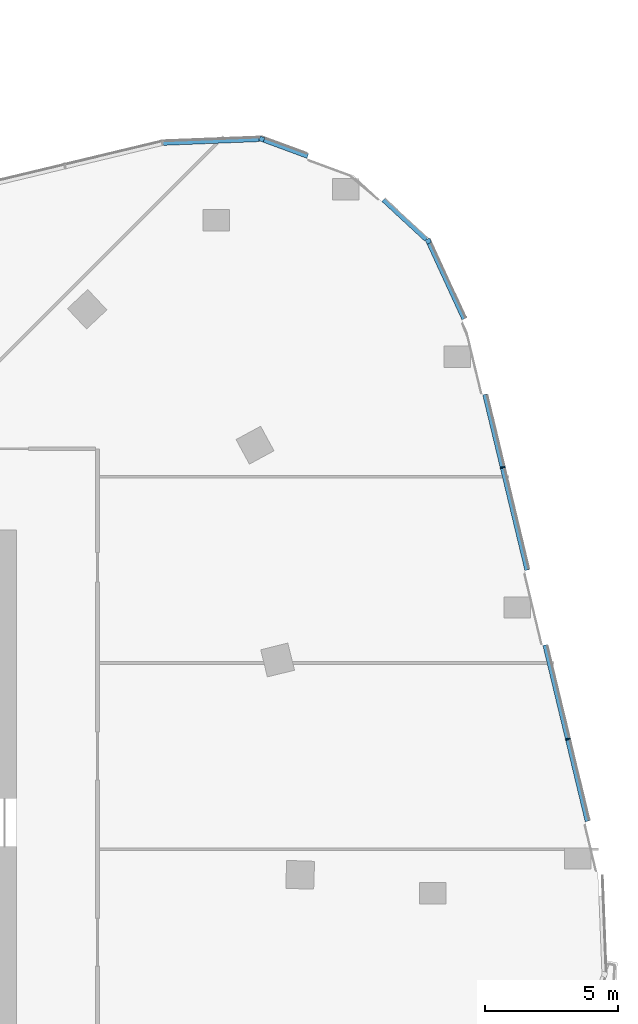
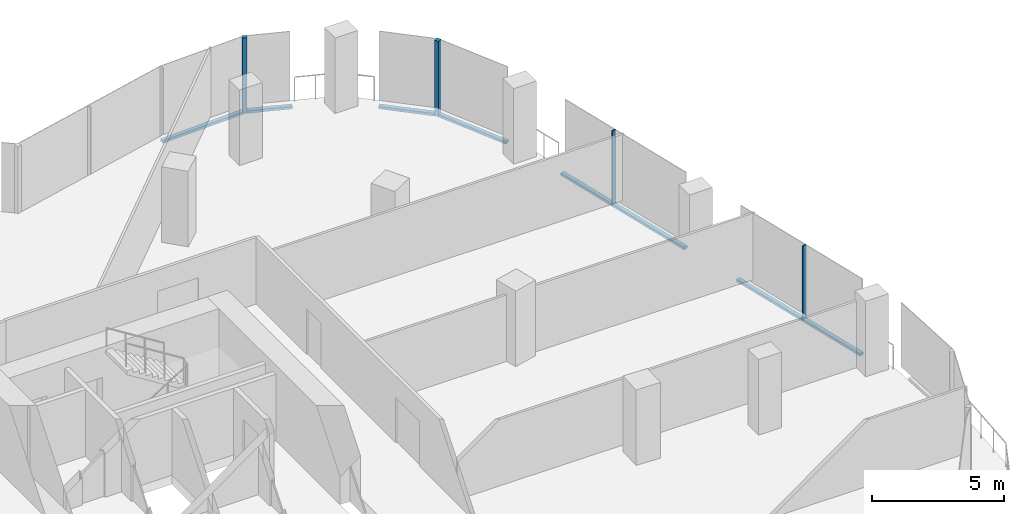
# One storey, part 9 of 24: 10 members, 5 elements without a shape of their own.
"""IFC4 building model written with IfcOpenShell, lengths in metres."""

from ifc_helpers import new_model, si_unit, direction, frame, origin, origin_2d, place, context, subcontext, project, spatial, rectangle, extrude, material, material_profile, profile_set, type_object, element, aggregate, save


model = new_model("IFC4")

# Units and contexts
model_context = context("Model", 3, precision=1e-05, world=origin(), true_north=direction((0.0, 1.0)))
body_context = subcontext(model_context, "Body", "Model", "MODEL_VIEW")
ifc_project = project(units=[si_unit("LENGTHUNIT", "METRE"), si_unit("AREAUNIT", "SQUARE_METRE"), si_unit("VOLUMEUNIT", "CUBIC_METRE"), si_unit("PLANEANGLEUNIT", "RADIAN"), si_unit("MASSUNIT", "GRAM", prefix="KILO")], contexts=[model_context])

# Site, building, storey
site_placement = place(None, origin())
site = spatial("IfcSite", under=ifc_project, at=site_placement, CompositionType="ELEMENT")
building_placement = place(site_placement, origin())
building = spatial("IfcBuilding", under=site, at=building_placement, Name="Orlundy Tower", CompositionType="ELEMENT")
storey_placement = place(building_placement, frame((0.0, 0.0, 210.5)))
storey = spatial("IfcBuildingStorey", under=building, at=storey_placement, Name="L55", CompositionType="ELEMENT", Elevation=210.5)

# Curtain wall, member
ifc_material_1 = material(Name="Aluminium bronze anodised", Category="aluminium")
curtain_wall_type = type_object("IfcCurtainWallType", Name="CW1 wall", PredefinedType="NOTDEFINED", material=ifc_material_1)
curtain_wall_1_placement = place(storey_placement, origin())
curtain_wall_1 = element("IfcCurtainWall", 1, at=curtain_wall_1_placement, inside=storey, type_object=curtain_wall_type, Name="CW1 run 08", PredefinedType="NOTDEFINED")
ifc_material_2 = material(Name="Aluminium bronze anodised", Category="aluminium")
ifc_material_profile_1 = material_profile(ifc_material_2, rectangle(XDim=0.179931640625, YDim=0.179931640625, at=origin_2d()), Name="CW1 corner post 180x180")
ifc_profile_set_1 = profile_set([ifc_material_profile_1], Name="Aluminium bronze anodised")
member_type_1 = type_object("IfcMemberType", Name="CW1 corner post 180x180", PredefinedType="MULLION", material=ifc_profile_set_1)
member_1_placement = place(storey_placement, frame((28.220458984375, 26.6865234375, -0.39990234375), z_axis=(0.0, 0.0, 1.0), x_axis=(0.346092852283, 0.938200265188, 0.0)))
member_1 = element("IfcMember", 2, at=member_1_placement, type_object=member_type_1, Name="CW1 mullion 29", PredefinedType="MULLION", context=body_context, shape_type="SweptSolid", body=[
    extrude(rectangle(XDim=0.179931640625, YDim=0.179931640625, at=origin_2d()), origin(), (0.0, 0.0, 1.0), 3.5),
])

curtain_wall_2_placement = place(storey_placement, origin())
curtain_wall_2 = element("IfcCurtainWall", 3, at=curtain_wall_2_placement, inside=storey, type_object=curtain_wall_type, Name="CW1 run 010", PredefinedType="NOTDEFINED")
member_2_placement = place(storey_placement, frame((34.480224609375, 22.850830078125, -0.39990234375), z_axis=(0.0, 0.0, 1.0), x_axis=(0.908219817192, 0.418493445182, 0.0)))
member_2 = element("IfcMember", 4, at=member_2_placement, type_object=member_type_1, Name="CW1 mullion 31", PredefinedType="MULLION", context=body_context, shape_type="SweptSolid", body=[
    extrude(rectangle(XDim=0.179931640625, YDim=0.179931640625, at=origin_2d()), origin(), (0.0, 0.0, 1.0), 3.5),
])

# Curtain wall, members
curtain_wall_3_placement = place(storey_placement, origin())
curtain_wall_3 = element("IfcCurtainWall", 5, at=curtain_wall_3_placement, inside=storey, type_object=curtain_wall_type, Name="CW1 run 011", PredefinedType="NOTDEFINED")
ifc_material_3 = material(Name="Aluminium bronze anodised", Category="aluminium")
ifc_material_profile_2 = material_profile(ifc_material_3, rectangle(XDim=0.179931640625, YDim=0.050048828125, at=origin_2d()), Name="CW1 mullion 50x180")
ifc_profile_set_2 = profile_set([ifc_material_profile_2], Name="Aluminium bronze anodised")
member_type_2 = type_object("IfcMemberType", Name="CW1 mullion 50x180", PredefinedType="MULLION", material=ifc_profile_set_2)
member_3_placement = place(storey_placement, frame((37.270263671875, 14.346923828125, -0.39990234375), z_axis=(0.0, 0.0, 1.0), x_axis=(0.972363523859, 0.233472005748, 0.0)))
member_3 = element("IfcMember", 6, at=member_3_placement, type_object=member_type_2, Name="CW1 mullion 33", PredefinedType="MULLION", context=body_context, shape_type="SweptSolid", body=[
    extrude(rectangle(XDim=0.179931640625, YDim=0.050048828125, at=origin_2d()), origin(), (0.0, 0.0, 1.0), 3.5),
])
member_4_placement = place(storey_placement, frame((39.7216796875, 4.136962890625, -0.39990234375), z_axis=(0.0, 0.0, 1.0), x_axis=(0.972363523859, 0.233472005748, 0.0)))
member_4 = element("IfcMember", 7, at=member_4_placement, type_object=member_type_2, Name="CW1 mullion 35", PredefinedType="MULLION", context=body_context, shape_type="SweptSolid", body=[
    extrude(rectangle(XDim=0.179931640625, YDim=0.050048828125, at=origin_2d()), origin(), (0.0, 0.0, 1.0), 3.5),
])

# Curtain wall, member
curtain_wall_4_placement = place(storey_placement, origin())
curtain_wall_4 = element("IfcCurtainWall", 8, at=curtain_wall_4_placement, inside=storey, type_object=curtain_wall_type, Name="CW1 run 07", PredefinedType="NOTDEFINED")
ifc_material_4 = material(Name="Aluminium bronze anodised", Category="aluminium")
ifc_material_profile_3 = material_profile(ifc_material_4, rectangle(XDim=0.179931640625, YDim=0.1201171875, at=origin_2d()), Name="CW1 transom 180x120")
ifc_profile_set_3 = profile_set([ifc_material_profile_3], Name="Aluminium bronze anodised")
member_type_3 = type_object("IfcMemberType", Name="CW1 transom 180x120", PredefinedType="USERDEFINED", material=ifc_profile_set_3)
member_5_placement = place(storey_placement, frame((24.5146484375, 26.54150390625, -0.340087890625), z_axis=(0.999233558965, 0.039144535226, 0.0), x_axis=(-0.039144535226, 0.999233558965, 0.0)))
member_5 = element("IfcMember", 9, at=member_5_placement, type_object=member_type_3, Name="CW1 transom", ObjectType="TRANSOM", PredefinedType="USERDEFINED", context=body_context, shape_type="SweptSolid", body=[
    extrude(rectangle(XDim=0.179931640625, YDim=0.1201171875, at=origin_2d()), origin(), (0.0, 0.0, 1.0), 3.611083984375),
])
aggregate(curtain_wall_4, [member_5])

# Member
member_6_placement = place(storey_placement, frame((28.3046875, 26.655517578125, -0.340087890625), z_axis=(0.938185748792, -0.34613220128, 0.0), x_axis=(0.34613220128, 0.938185748792, 0.0)))
member_6 = element("IfcMember", 10, at=member_6_placement, type_object=member_type_3, Name="CW1 transom", ObjectType="TRANSOM", PredefinedType="USERDEFINED", context=body_context, shape_type="SweptSolid", body=[
    extrude(rectangle(XDim=0.179931640625, YDim=0.1201171875, at=origin_2d()), origin(), (0.0, 0.0, 1.0), 1.749267578125),
])

aggregate(curtain_wall_1, [member_1, member_6])

# Curtain wall, member
curtain_wall_5_placement = place(storey_placement, origin())
curtain_wall_5 = element("IfcCurtainWall", 11, at=curtain_wall_5_placement, inside=storey, type_object=curtain_wall_type, Name="CW1 run 09", PredefinedType="NOTDEFINED")
member_7_placement = place(storey_placement, frame((32.794189453125, 24.409423828125, -0.340087890625), z_axis=(0.734322195122, -0.678801085556, 0.0), x_axis=(0.678801085556, 0.734322195122, 0.0)))
member_7 = element("IfcMember", 12, at=member_7_placement, type_object=member_type_3, Name="CW1 transom", ObjectType="TRANSOM", PredefinedType="USERDEFINED", context=body_context, shape_type="SweptSolid", body=[
    extrude(rectangle(XDim=0.179931640625, YDim=0.1201171875, at=origin_2d()), origin(), (0.0, 0.0, 1.0), 2.19873046875),
])
aggregate(curtain_wall_5, [member_7])

# Member
member_8_placement = place(storey_placement, frame((34.517822265625, 22.769287109375, -0.340087890625), z_axis=(0.418537688735, -0.90819942915, 0.0), x_axis=(0.90819942915, 0.418537688735, 0.0)))
member_8 = element("IfcMember", 13, at=member_8_placement, type_object=member_type_3, Name="CW1 transom", ObjectType="TRANSOM", PredefinedType="USERDEFINED", context=body_context, shape_type="SweptSolid", body=[
    extrude(rectangle(XDim=0.179931640625, YDim=0.1201171875, at=origin_2d()), origin(), (0.0, 0.0, 1.0), 3.123779296875),
])

aggregate(curtain_wall_2, [member_2, member_8])

member_9_placement = place(storey_placement, frame((36.61083984375, 17.09375, -0.340087890625), z_axis=(0.233451786464, -0.972368378443, 0.0), x_axis=(0.972368378443, 0.233451786464, 0.0)))
member_9 = element("IfcMember", 14, at=member_9_placement, type_object=member_type_3, Name="CW1 transom", ObjectType="TRANSOM", PredefinedType="USERDEFINED", context=body_context, shape_type="SweptSolid", body=[
    extrude(rectangle(XDim=0.179931640625, YDim=0.1201171875, at=origin_2d()), origin(), (0.0, 0.0, 1.0), 6.79345703125),
])

member_10_placement = place(storey_placement, frame((38.87255859375, 7.674072265625, -0.340087890625), z_axis=(0.233475977106, -0.972362570297, 0.0), x_axis=(0.972362570297, 0.233475977106, 0.0)))
member_10 = element("IfcMember", 15, at=member_10_placement, type_object=member_type_3, Name="CW1 transom", ObjectType="TRANSOM", PredefinedType="USERDEFINED", context=body_context, shape_type="SweptSolid", body=[
    extrude(rectangle(XDim=0.179931640625, YDim=0.1201171875, at=origin_2d()), origin(), (0.0, 0.0, 1.0), 6.8115234375),
])

aggregate(curtain_wall_3, [member_3, member_4, member_9, member_10])

save(model, "model.ifc")
